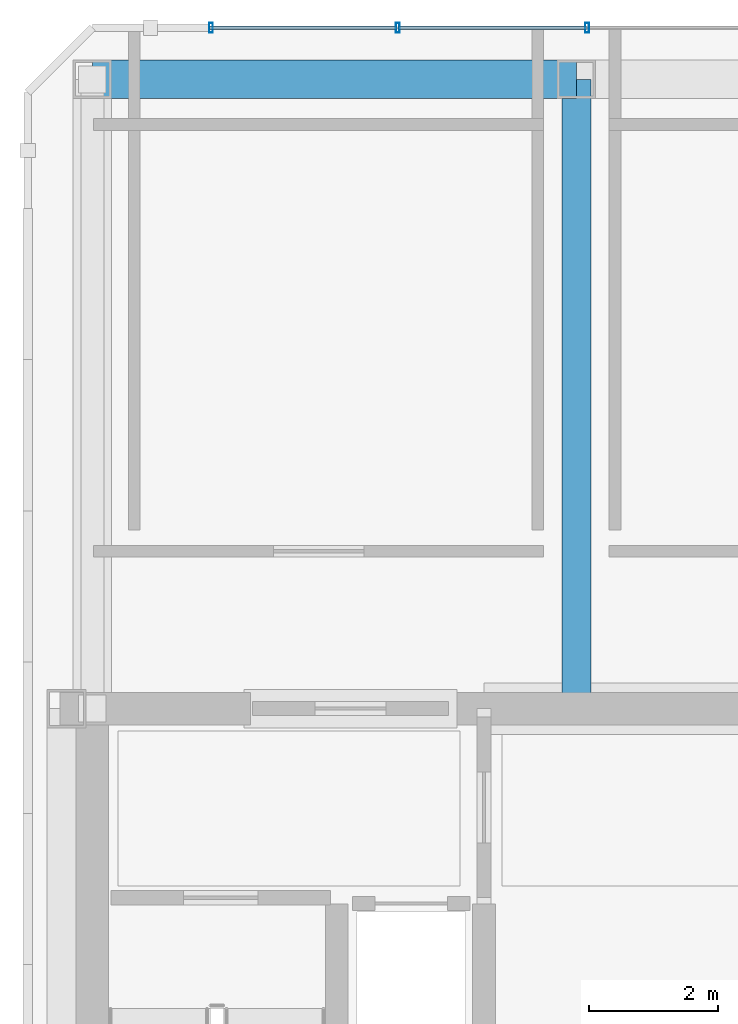
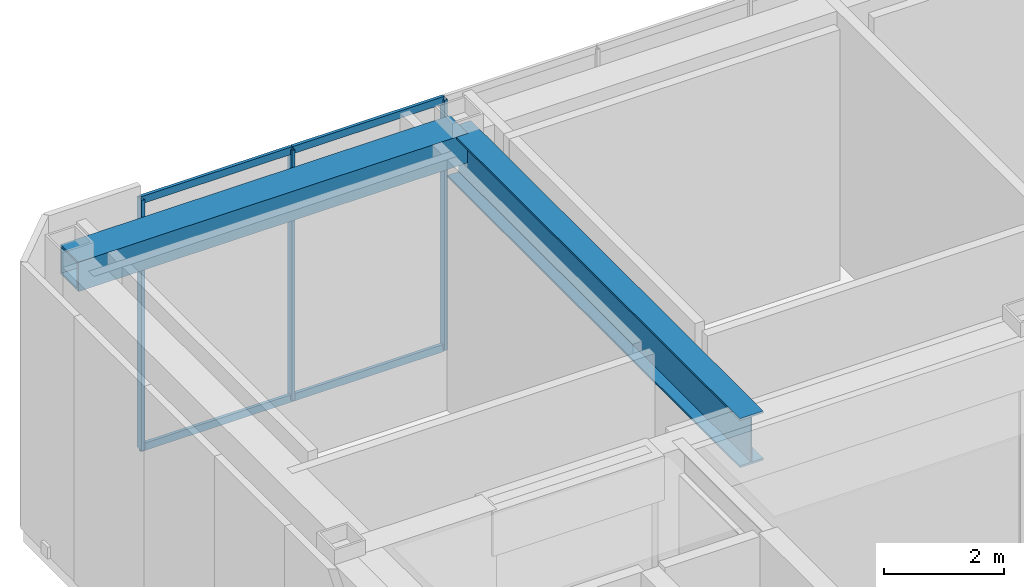
# One storey, part 2 of 10: 7 members, 2 beams, 1 element without a shape of its own.
"""IFC4 building model written with IfcOpenShell, lengths in metres."""

from ifc_helpers import new_model, si_unit, direction, frame, origin, origin_2d, place, context, subcontext, project, spatial, hollow_rectangle, i_section, extrude, material, material_profile, profile_set, type_object, element, aggregate, save


model = new_model("IFC4")

# Units and contexts
model_context = context("Model", 3, precision=1e-05, world=origin(), true_north=direction((0.0, 1.0)))
body_context = subcontext(model_context, "Body", "Model", "MODEL_VIEW")
ifc_project = project(units=[si_unit("LENGTHUNIT", "METRE"), si_unit("AREAUNIT", "SQUARE_METRE"), si_unit("VOLUMEUNIT", "CUBIC_METRE"), si_unit("PLANEANGLEUNIT", "RADIAN"), si_unit("MASSUNIT", "GRAM", prefix="KILO")], contexts=[model_context])

# Site, building, storey
site_placement = place(None, origin())
site = spatial("IfcSite", under=ifc_project, at=site_placement, CompositionType="ELEMENT")
building_placement = place(site_placement, origin())
building = spatial("IfcBuilding", under=site, at=building_placement, Name="Ventersveld Concourse Tower", CompositionType="ELEMENT")
storey_placement = place(building_placement, frame((0.0, 0.0, 382.85009765625)))
storey = spatial("IfcBuildingStorey", under=building, at=storey_placement, Name="L93", CompositionType="ELEMENT", Elevation=382.85009765625)

# Curtain wall, members
ifc_material_1 = material(Name="Anodised aluminium EN AW-6063-T6", Category="aluminium")
curtain_wall_type = type_object("IfcCurtainWallType", Name="CW-CRN-6", PredefinedType="NOTDEFINED", material=ifc_material_1)
curtain_wall_placement = place(storey_placement, origin())
curtain_wall = element("IfcCurtainWall", 1, at=curtain_wall_placement, inside=storey, type_object=curtain_wall_type, Name="L93 L93 Crown North Glazed Curtain Wall", PredefinedType="NOTDEFINED")
ifc_material_profile_1 = material_profile(ifc_material_1, hollow_rectangle(XDim=0.06005859375, YDim=0.14990234375, WallThickness=0.00390625, at=origin_2d()), Name="ALU 150x60x4")
ifc_profile_set_1 = profile_set([ifc_material_profile_1], Name="Anodised aluminium EN AW-6063-T6")
member_type_1 = type_object("IfcMemberType", Name="CWM-150x65", PredefinedType="MULLION", material=ifc_profile_set_1)
member_1_placement = place(storey_placement, frame((21.416748046875, 22.0, 0.0), z_axis=(0.0, 0.0, 1.0), x_axis=(1.0, 0.0, 0.0)))
member_1 = element("IfcMember", 2, at=member_1_placement, type_object=member_type_1, Name="CW-L93-N Mullion 08", PredefinedType="MULLION", context=body_context, shape_type="SweptSolid", body=[
    extrude(hollow_rectangle(XDim=0.06005859375, YDim=0.14990234375, WallThickness=0.00390625, at=origin_2d()), origin(), (0.0, 0.0, 1.0), 5.099853515625),
])
member_2_placement = place(storey_placement, frame((18.4833984375, 22.0, 0.0), z_axis=(0.0, 0.0, 1.0), x_axis=(1.0, 0.0, 0.0)))
member_2 = element("IfcMember", 3, at=member_2_placement, type_object=member_type_1, Name="CW-L93-N Mullion 09", PredefinedType="MULLION", context=body_context, shape_type="SweptSolid", body=[
    extrude(hollow_rectangle(XDim=0.06005859375, YDim=0.14990234375, WallThickness=0.00390625, at=origin_2d()), origin(), (0.0, 0.0, 1.0), 5.099853515625),
])
member_3_placement = place(storey_placement, frame((15.590087890625, 22.0, 0.0), z_axis=(0.0, 0.0, 1.0), x_axis=(1.0, 0.0, 0.0)))
member_3 = element("IfcMember", 4, at=member_3_placement, type_object=member_type_1, Name="CW-L93-N Mullion 10", PredefinedType="MULLION", context=body_context, shape_type="SweptSolid", body=[
    extrude(hollow_rectangle(XDim=0.06005859375, YDim=0.14990234375, WallThickness=0.00390625, at=origin_2d()), origin(), (0.0, 0.0, 1.0), 5.099853515625),
])
ifc_material_profile_2 = material_profile(ifc_material_1, hollow_rectangle(XDim=0.06005859375, YDim=0.14990234375, WallThickness=0.00390625, at=origin_2d()), Name="ALU 150x60x4")
ifc_profile_set_2 = profile_set([ifc_material_profile_2], Name="Anodised aluminium EN AW-6063-T6")
member_type_2 = type_object("IfcMemberType", Name="CWT-150x60", PredefinedType="USERDEFINED", material=ifc_profile_set_2)
member_4_placement = place(storey_placement, frame((21.40673828125, 22.0, 0.02978515625), z_axis=(-1.0, 0.0, 0.0), x_axis=(0.0, -1.0, 0.0)))
member_4 = element("IfcMember", 5, at=member_4_placement, type_object=member_type_2, Name="CW-L93-N Transom 1-08", ObjectType="TRANSOM", PredefinedType="USERDEFINED", context=body_context, shape_type="SweptSolid", body=[
    extrude(hollow_rectangle(XDim=0.06005859375, YDim=0.14990234375, WallThickness=0.00390625, at=origin_2d()), origin(), (0.0, 0.0, 1.0), 2.913330078125),
])
member_5_placement = place(storey_placement, frame((18.473388671875, 22.0, 0.02978515625), z_axis=(-1.0, 0.0, 0.0), x_axis=(0.0, -1.0, 0.0)))
member_5 = element("IfcMember", 6, at=member_5_placement, type_object=member_type_2, Name="CW-L93-N Transom 1-09", ObjectType="TRANSOM", PredefinedType="USERDEFINED", context=body_context, shape_type="SweptSolid", body=[
    extrude(hollow_rectangle(XDim=0.06005859375, YDim=0.14990234375, WallThickness=0.00390625, at=origin_2d()), origin(), (0.0, 0.0, 1.0), 2.9033203125),
])
member_6_placement = place(storey_placement, frame((21.40673828125, 22.0, 5.06982421875), z_axis=(-1.0, 0.0, 0.0), x_axis=(0.0, -1.0, 0.0)))
member_6 = element("IfcMember", 7, at=member_6_placement, type_object=member_type_2, Name="CW-L93-N Transom 2-08", ObjectType="TRANSOM", PredefinedType="USERDEFINED", context=body_context, shape_type="SweptSolid", body=[
    extrude(hollow_rectangle(XDim=0.06005859375, YDim=0.14990234375, WallThickness=0.00390625, at=origin_2d()), origin(), (0.0, 0.0, 1.0), 2.913330078125),
])
member_7_placement = place(storey_placement, frame((18.473388671875, 22.0, 5.06982421875), z_axis=(-1.0, 0.0, 0.0), x_axis=(0.0, -1.0, 0.0)))
member_7 = element("IfcMember", 8, at=member_7_placement, type_object=member_type_2, Name="CW-L93-N Transom 2-09", ObjectType="TRANSOM", PredefinedType="USERDEFINED", context=body_context, shape_type="SweptSolid", body=[
    extrude(hollow_rectangle(XDim=0.06005859375, YDim=0.14990234375, WallThickness=0.00390625, at=origin_2d()), origin(), (0.0, 0.0, 1.0), 2.9033203125),
])
aggregate(curtain_wall, [member_1, member_2, member_3, member_4, member_5, member_6, member_7])

# Beams
ifc_material_2 = material(Name="Structural steel S355ML", Category="steel")
ifc_material_profile_3 = material_profile(ifc_material_2, hollow_rectangle(XDim=0.60009765625, YDim=0.60009765625, WallThickness=0.0400390625, at=origin_2d()), Name="BOX 600x600x40")
ifc_profile_set_3 = profile_set([ifc_material_profile_3], Name="Structural steel S355ML")
beam_type_1 = type_object("IfcBeamType", Name="SPD-BOX600", PredefinedType="SPANDREL", material=ifc_profile_set_3)
beam_1_placement = place(storey_placement, frame((21.25, 21.199951171875, 4.7998046875), z_axis=(-1.0, 0.0, 0.0), x_axis=(0.0, -1.0, 0.0)))
element("IfcBeam", 9, at=beam_1_placement, inside=storey, type_object=beam_type_1, Name="L93 CROWN FRAME Perimeter Ring Beam 6", PredefinedType="SPANDREL", context=body_context, shape_type="SweptSolid", body=[
    extrude(hollow_rectangle(XDim=0.60009765625, YDim=0.60009765625, WallThickness=0.0400390625, at=origin_2d()), origin(), (0.0, 0.0, 1.0), 7.5),
])
ifc_material_3 = material(Name="Structural steel S460ML", Category="steel")
ifc_material_profile_4 = material_profile(ifc_material_3, i_section(OverallWidth=0.449951171875, OverallDepth=1.0, WebThickness=0.02392578125, FlangeThickness=0.0400390625, at=origin_2d()), Name="PG 1000x450x40")
ifc_profile_set_4 = profile_set([ifc_material_profile_4], Name="Structural steel S460ML")
beam_type_2 = type_object("IfcBeamType", Name="TG-PG1000", PredefinedType="USERDEFINED", material=ifc_profile_set_4)
beam_2_placement = place(storey_placement, frame((21.25, 11.449951171875, 4.599853515625), z_axis=(0.0, 1.0, 0.0), x_axis=(-1.0, 0.0, 0.0)))
element("IfcBeam", 10, at=beam_2_placement, inside=storey, type_object=beam_type_2, Name="L93 Crown Interior Girder W", ObjectType="TRANSFER_GIRDER", PredefinedType="USERDEFINED", context=body_context, shape_type="SweptSolid", body=[
    extrude(i_section(OverallWidth=0.449951171875, OverallDepth=1.0, WebThickness=0.02392578125, FlangeThickness=0.0400390625, at=origin_2d()), origin(), (0.0, 0.0, 1.0), 9.75),
])

save(model, "model.ifc")
